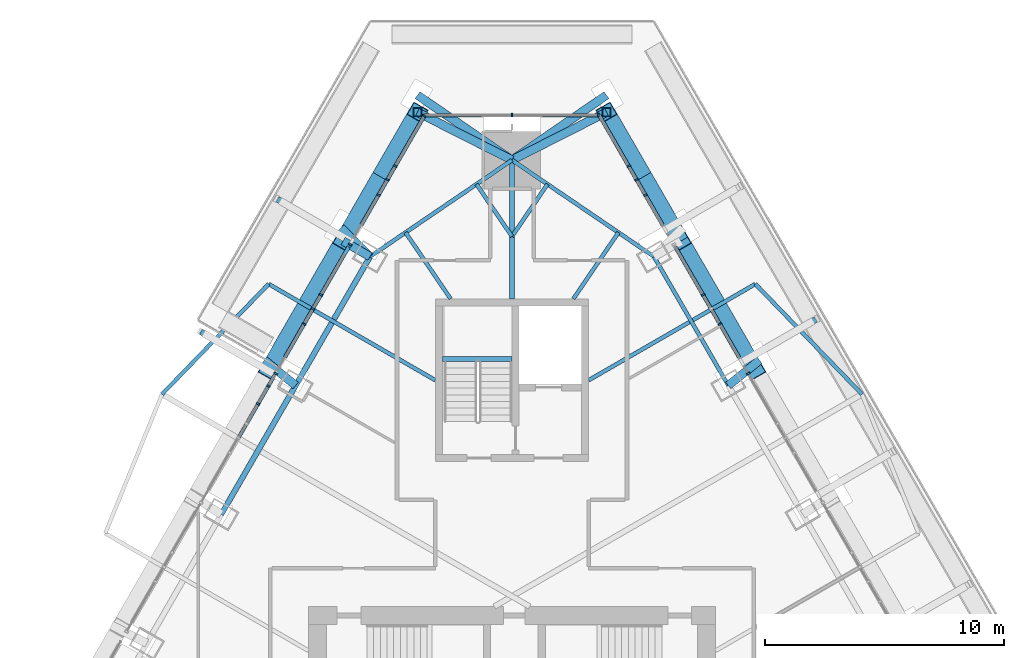
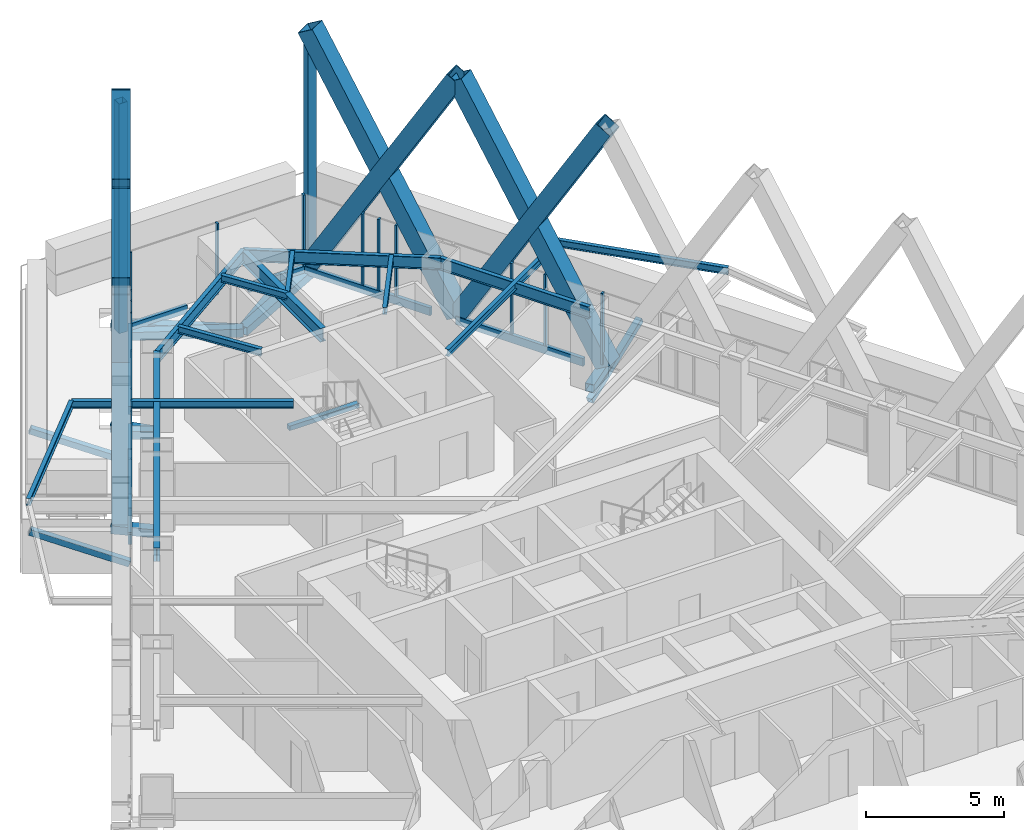
# One storey, part 7 of 23: 47 members, 14 beams, 3 elements without a shape of their own.
"""IFC4 building model written with IfcOpenShell, lengths in metres."""

import ifcopenshell
import ifcopenshell.guid

model = None  # the IFC model being written
_history = None  # IfcOwnerHistory: only IFC2X3 demands one
_inside = {}  # id of a spatial element -> (the spatial element, [elements in it])
_under = {}  # id of a project, library or spatial element -> (it, [spatial elements below it])
_declared = {}  # id of a project -> (the project, [libraries it declares])
_typed = {}  # id of a type object -> (the type object, [elements of that type])
_made_of = {}  # id of a material, layer set ... -> (it, [elements and type objects made of it])


def new_model(schema):
    """Start an empty IFC model of exactly this schema.

    Asked for "IFC4X3", IfcOpenShell would pick the latest addendum, in which some entities
    have other attributes; the version numbers below select the first issue.
    IFC2X3 requires an IfcOwnerHistory on every rooted entity: one is made here for all.
    """
    global model, _history
    if schema == "IFC4X3":
        model = ifcopenshell.file(schema_version=(4, 3, 0, 0))
    else:
        model = ifcopenshell.file(schema=schema)
    _inside.clear()
    _under.clear()
    _declared.clear()
    _typed.clear()
    _made_of.clear()
    _history = None
    if model.schema == "IFC2X3":
        org = make("IfcOrganization", Name="unknown")
        user = make(
            "IfcPersonAndOrganization",
            ThePerson=make("IfcPerson", FamilyName="unknown"),
            TheOrganization=org,
        )
        app = make(
            "IfcApplication",
            ApplicationDeveloper=org,
            Version="unknown",
            ApplicationFullName="unknown",
            ApplicationIdentifier="unknown",
        )
        _history = make(
            "IfcOwnerHistory",
            OwningUser=user,
            OwningApplication=app,
            ChangeAction="ADDED",
            CreationDate=0,
        )
    return model


def make(cls, **values):
    """One entity of the class cls with the attributes given. An attribute that is None is left unset."""
    return model.create_entity(
        cls, **{name: value for name, value in values.items() if value is not None}
    )


def rooted(cls, **values):
    """An entity with a GlobalId (a new one), such as an element, a storey or a relation."""
    return make(cls, GlobalId=ifcopenshell.guid.new(), OwnerHistory=_history, **values)


def si_unit(unit_type, name, prefix=None):
    """IfcSIUnit, for example si_unit("LENGTHUNIT", "METRE", prefix="MILLI")."""
    return make("IfcSIUnit", UnitType=unit_type, Prefix=prefix, Name=name)


def assignment(units):
    """IfcUnitAssignment: the units of a project."""
    return None if units is None else make("IfcUnitAssignment", Units=units)


def point(xyz):
    """IfcCartesianPoint."""
    return None if xyz is None else make("IfcCartesianPoint", Coordinates=xyz)


def direction(xyz):
    """IfcDirection."""
    return None if xyz is None else make("IfcDirection", DirectionRatios=xyz)


def frame(location, z_axis=None, x_axis=None):
    """IfcAxis2Placement3D, a coordinate frame: its origin and axes. An axis left out is left unset."""
    return make(
        "IfcAxis2Placement3D",
        Location=point(location),
        Axis=direction(z_axis),
        RefDirection=direction(x_axis),
    )


def frame_2d(location, x_axis=None):
    """IfcAxis2Placement2D, a coordinate frame in the plane: its origin and x axis."""
    return make(
        "IfcAxis2Placement2D", Location=point(location), RefDirection=direction(x_axis)
    )


def origin():
    """The frame at (0, 0, 0) with its axes left unset."""
    return frame((0.0, 0.0, 0.0))


def origin_2d():
    """The frame at (0, 0) in the plane with its x axis left unset."""
    return frame_2d((0.0, 0.0))


def place(relative_to, where):
    """IfcLocalPlacement: puts the frame where relative to a parent placement (None: the world)."""
    return make(
        "IfcLocalPlacement", PlacementRelTo=relative_to, RelativePlacement=where
    )


def context(
    kind, dimensions, precision=None, world=None, true_north=None, identifier=None
):
    """IfcGeometricRepresentationContext, for example the 3D "Model" context."""
    return make(
        "IfcGeometricRepresentationContext",
        ContextIdentifier=identifier,
        ContextType=kind,
        CoordinateSpaceDimension=dimensions,
        Precision=precision,
        WorldCoordinateSystem=world,
        TrueNorth=true_north,
    )


def subcontext(parent, identifier, kind, view, scale=None):
    """IfcGeometricRepresentationSubContext, for example "Body" below "Model"."""
    return make(
        "IfcGeometricRepresentationSubContext",
        ContextIdentifier=identifier,
        ContextType=kind,
        ParentContext=parent,
        TargetScale=scale,
        TargetView=view,
    )


def project(units=None, contexts=None):
    """IfcProject with its units and contexts."""
    return rooted(
        "IfcProject",
        Name="project",
        RepresentationContexts=contexts,
        UnitsInContext=assignment(units),
    )


def spatial(cls, under=None, at=None, **own):
    """A site, building, storey or space (cls), placed at a placement, below another one or the project."""
    s = rooted(cls, ObjectPlacement=at, **own)
    if under is not None:
        _under.setdefault(under.id(), (under, []))[1].append(s)
    return s


def profile(cls, at=None, kind="AREA", **sizes):
    """A parametric profile (cls). Its sizes go by their IFC names, for example OverallWidth=200.0."""
    return make(cls, ProfileType=kind, Position=at, **sizes)


def rectangle(**sizes):
    """IfcRectangleProfileDef."""
    return profile("IfcRectangleProfileDef", **sizes)


def hollow_rectangle(**sizes):
    """IfcRectangleHollowProfileDef."""
    return profile("IfcRectangleHollowProfileDef", **sizes)


def i_section(**sizes):
    """IfcIShapeProfileDef."""
    return profile("IfcIShapeProfileDef", **sizes)


def extrude(swept, where, along, depth):
    """IfcExtrudedAreaSolid: the profile swept, set in the frame where, extruded along a direction by depth."""
    return make(
        "IfcExtrudedAreaSolid",
        SweptArea=swept,
        Position=where,
        ExtrudedDirection=direction(along),
        Depth=depth,
    )


def shape(context_of_items, identifier, shape_type, items):
    """IfcShapeRepresentation: the items that make up one representation, for example the "Body"."""
    return make(
        "IfcShapeRepresentation",
        ContextOfItems=context_of_items,
        RepresentationIdentifier=identifier,
        RepresentationType=shape_type,
        Items=items,
    )


def material(Name=None, Category=None):
    """IfcMaterial."""
    return make("IfcMaterial", Name=Name, Category=Category)


def layer(
    of_material, thickness, ventilated=None, Name=None, Category=None, Priority=None
):
    """IfcMaterialLayer: one layer of a wall or slab, of a material (None: an air gap)."""
    return make(
        "IfcMaterialLayer",
        Material=of_material,
        LayerThickness=thickness,
        IsVentilated=ventilated,
        Name=Name,
        Category=Category,
        Priority=Priority,
    )


def layer_set(layers, Name=None):
    """IfcMaterialLayerSet."""
    return make("IfcMaterialLayerSet", MaterialLayers=layers, LayerSetName=Name)


def material_profile(
    of_material, cross_section, Name=None, Category=None, Priority=None
):
    """IfcMaterialProfile: a cross section and its material."""
    return make(
        "IfcMaterialProfile",
        Name=Name,
        Material=of_material,
        Profile=cross_section,
        Priority=Priority,
        Category=Category,
    )


def profile_set(profiles, Name=None, composite=None):
    """IfcMaterialProfileSet."""
    return make(
        "IfcMaterialProfileSet",
        Name=Name,
        MaterialProfiles=profiles,
        CompositeProfile=composite,
    )


def made_of(thing, what):
    """Note that an element or type object is made of a material, layer set ...; save() writes the relation."""
    if what is not None:
        _made_of.setdefault(what.id(), (what, []))[1].append(thing)
    return thing


def type_object(cls, material=None, **own):
    """A type object (cls), such as IfcWallType, which elements share."""
    return made_of(rooted(cls, **own), material)


def element(
    cls,
    number,
    at=None,
    inside=None,
    cuts=None,
    type_object=None,
    material=None,
    context=None,
    identifier="Body",
    shape_type=None,
    held_by="IfcProductDefinitionShape",
    body=None,
    shapes=None,
    **own,
):
    """One element of the class cls, such as IfcWall. Its Tag is "e" and its number.

    at: its placement. inside: the storey or other place that contains it. cuts: it is an
    opening in that element (IfcRelVoidsElement). A single representation is given by context,
    identifier, shape_type and body (its items); several are given by shapes. held_by: the class
    of the entity that holds the representations. save() writes the other relations.
    """
    e = rooted(cls, Tag="e%d" % number, ObjectPlacement=at, **own)
    if body is not None:
        shapes = [shape(context, identifier, shape_type, body)]
    if shapes is not None:
        e.Representation = make(held_by, Representations=shapes)
    if inside is not None:
        _inside.setdefault(inside.id(), (inside, []))[1].append(e)
    if cuts is not None:
        rooted(
            "IfcRelVoidsElement", RelatingBuildingElement=cuts, RelatedOpeningElement=e
        )
    if type_object is not None:
        _typed.setdefault(type_object.id(), (type_object, []))[1].append(e)
    return made_of(e, material)


def aggregate(whole, parts):
    """IfcRelAggregates: a whole, such as a stair, and the parts it consists of."""
    return rooted("IfcRelAggregates", RelatingObject=whole, RelatedObjects=parts)


def save(model, path):
    """Write the relations noted so far, then the file.

    IfcRelAggregates (storeys below a building ...), IfcRelContainedInSpatialStructure (elements
    in a storey), IfcRelDefinesByType, IfcRelAssociatesMaterial and IfcRelDeclares: one each for
    every whole, place, type object, material and project.
    """
    for whole, parts in _under.values():
        aggregate(whole, parts)
    for where, things in _inside.values():
        rooted(
            "IfcRelContainedInSpatialStructure",
            RelatedElements=things,
            RelatingStructure=where,
        )
    for kind, things in _typed.values():
        rooted("IfcRelDefinesByType", RelatedObjects=things, RelatingType=kind)
    for what, things in _made_of.values():
        rooted("IfcRelAssociatesMaterial", RelatedObjects=things, RelatingMaterial=what)
    for by, libraries in _declared.values():
        rooted("IfcRelDeclares", RelatingContext=by, RelatedDefinitions=libraries)
    model.write(path)


model = new_model("IFC4")

# Units and contexts
model_context = context("Model", 3, precision=1e-05, world=origin(), true_north=direction((0.0, 1.0)))
body_context = subcontext(model_context, "Body", "Model", "MODEL_VIEW")
ifc_project = project(units=[si_unit("LENGTHUNIT", "METRE"), si_unit("AREAUNIT", "SQUARE_METRE"), si_unit("VOLUMEUNIT", "CUBIC_METRE"), si_unit("PLANEANGLEUNIT", "RADIAN"), si_unit("MASSUNIT", "GRAM", prefix="KILO")], contexts=[model_context])

# Site, building, storey
site_placement = place(None, origin())
site = spatial("IfcSite", under=ifc_project, at=site_placement, CompositionType="ELEMENT")
building_placement = place(site_placement, origin())
building = spatial("IfcBuilding", under=site, at=building_placement, Name="Firuza Gate Tower and Library", CompositionType="ELEMENT")
storey_placement = place(building_placement, frame((0.0, 0.0, 291.60009765625)))
storey = spatial("IfcBuildingStorey", under=building, at=storey_placement, Name="L70", CompositionType="ELEMENT", Elevation=291.60009765625)

# Members
ifc_material_1 = material(Name="Steel S355", Category="steel")
ifc_material_profile_1 = material_profile(ifc_material_1, hollow_rectangle(XDim=0.699951171875, YDim=0.699951171875, WallThickness=0.030029296875, at=origin_2d()))
ifc_profile_set_1 = profile_set([ifc_material_profile_1], Name="Steel S355")
member_type_1 = type_object("IfcMemberType", Name="BU700x700x30 Lattice brace", PredefinedType="BRACE", material=ifc_profile_set_1)
for number, where, z_axis, x_axis, name in (
    (1, (85.15966796875, 91.62744140625, 0.0), (-0.254631455847, 0.441047694957, 0.860604294938), (-0.866031822762, -0.49998888184, 0.0), "Lattice brace E 18.6R"),
    (2, (82.052978515625, 97.008544921875, 0.0), (0.254631455847, -0.441047694957, 0.860604294938), (0.866031822762, 0.49998888184, 0.0), "Lattice brace E 18.6L"),
    (3, (82.052978515625, 97.008544921875, 0.0), (-0.254633703079, 0.441031576884, 0.860611890138), (-0.866021999733, -0.500005895944, 0.0), "Lattice brace E 18.7R"),
    (4, (78.9462890625, 102.389404296875, 0.0), (0.254633703079, -0.441031576884, 0.860611890138), (0.866021999733, 0.500005895944, 0.0), "Lattice brace E 18.7L"),
    (5, (71.0537109375, 102.389404296875, 0.0), (-0.254633703079, -0.441031576884, 0.860611890138), (0.866021999733, -0.500005895944, 0.0), "Lattice brace W 18.1R"),
    (6, (67.947021484375, 97.008544921875, 0.0), (0.254633703079, 0.441031576884, 0.860611890138), (-0.866021999733, 0.500005895944, 0.0), "Lattice brace W 18.1L"),
    (7, (67.947021484375, 97.008544921875, 0.0), (-0.254631455847, -0.441047694957, 0.860604294938), (0.866031822762, -0.49998888184, 0.0), "Lattice brace W 18.2R"),
    (8, (64.84033203125, 91.62744140625, 0.0), (0.254631455847, 0.441047694957, 0.860604294938), (-0.866031822762, 0.49998888184, 0.0), "Lattice brace W 18.2L"),
):
    element("IfcMember", number, at=place(storey_placement, frame(where, z_axis=z_axis, x_axis=x_axis)), inside=storey, type_object=member_type_1, Name=name, PredefinedType="BRACE", context=body_context, shape_type="SweptSolid", body=[
        extrude(hollow_rectangle(XDim=0.699951171875, YDim=0.699951171875, WallThickness=0.030029296875, at=origin_2d()), origin(), (0.0, 0.0, 1.0), 12.20068359375),
    ])

# Curtain wall, members
ifc_material_2 = material(Name="Aluminium 6063-T6", Category="aluminium")
ifc_layer_1 = layer(ifc_material_2, 0.14990234375)
ifc_layer_set_1 = layer_set([ifc_layer_1], Name="Unitised curtain wall, residences")
curtain_wall_type_1 = type_object("IfcCurtainWallType", Name="Unitised curtain wall, residences", PredefinedType="NOTDEFINED", material=ifc_layer_set_1)
placement = place(storey_placement, origin())
curtain_wall_1 = element("IfcCurtainWall", 9, at=placement, inside=storey, type_object=curtain_wall_type_1, Name="CW3 L70 E face", PredefinedType="NOTDEFINED")
ifc_material_3 = material(Name="Aluminium 6063-T6", Category="aluminium")
ifc_material_profile_2 = material_profile(ifc_material_3, rectangle(XDim=0.14990234375, YDim=0.080078125, at=origin_2d()))
ifc_profile_set_2 = profile_set([ifc_material_profile_2], Name="Aluminium 6063-T6")
member_type_2 = type_object("IfcMemberType", Name="Curtain wall mullion 80x150", PredefinedType="MULLION", material=ifc_profile_set_2)
member_1_placement = place(storey_placement, frame((84.868896484375, 91.481201171875, 0.14990234375), z_axis=(0.0, 0.0, 1.0), x_axis=(-0.866025403784, -0.5, 0.0)))
member_1 = element("IfcMember", 10, at=member_1_placement, type_object=member_type_2, Name="Mullion", PredefinedType="MULLION", context=body_context, shape_type="SweptSolid", body=[
    extrude(rectangle(XDim=0.14990234375, YDim=0.080078125, at=origin_2d()), origin(), (0.0, 0.0, 1.0), 3.14990234375),
])
member_2_placement = place(storey_placement, frame((80.19970703125, 99.568603515625, 0.14990234375), z_axis=(0.0, 0.0, 1.0), x_axis=(-0.866025403784, -0.5, 0.0)))
member_2 = element("IfcMember", 11, at=member_2_placement, type_object=member_type_2, Name="Mullion", PredefinedType="MULLION", context=body_context, shape_type="SweptSolid", body=[
    extrude(rectangle(XDim=0.14990234375, YDim=0.080078125, at=origin_2d()), origin(), (0.0, 0.0, 1.0), 3.14990234375),
])
member_3_placement = place(storey_placement, frame((83.676025390625, 93.54736328125, 0.14990234375), z_axis=(0.0, 0.0, 1.0), x_axis=(-0.866025403784, -0.5, 0.0)))
member_3 = element("IfcMember", 12, at=member_3_placement, type_object=member_type_2, Name="Mullion", PredefinedType="MULLION", context=body_context, shape_type="SweptSolid", body=[
    extrude(rectangle(XDim=0.14990234375, YDim=0.080078125, at=origin_2d()), origin(), (0.0, 0.0, 1.0), 3.14990234375),
])
member_4_placement = place(storey_placement, frame((82.973876953125, 94.763671875, 0.14990234375), z_axis=(0.0, 0.0, 1.0), x_axis=(-0.866025403784, -0.5, 0.0)))
member_4 = element("IfcMember", 13, at=member_4_placement, type_object=member_type_2, Name="Mullion", PredefinedType="MULLION", context=body_context, shape_type="SweptSolid", body=[
    extrude(rectangle(XDim=0.14990234375, YDim=0.080078125, at=origin_2d()), origin(), (0.0, 0.0, 1.0), 3.14990234375),
])
member_5_placement = place(storey_placement, frame((80.5693359375, 98.92822265625, 0.14990234375), z_axis=(0.0, 0.0, 1.0), x_axis=(-0.866025403784, -0.5, 0.0)))
member_5 = element("IfcMember", 14, at=member_5_placement, type_object=member_type_2, Name="Mullion", PredefinedType="MULLION", context=body_context, shape_type="SweptSolid", body=[
    extrude(rectangle(XDim=0.14990234375, YDim=0.080078125, at=origin_2d()), origin(), (0.0, 0.0, 1.0), 3.14990234375),
])
member_6_placement = place(storey_placement, frame((79.8671875, 100.14453125, 0.14990234375), z_axis=(0.0, 0.0, 1.0), x_axis=(-0.866025403784, -0.5, 0.0)))
member_6 = element("IfcMember", 15, at=member_6_placement, type_object=member_type_2, Name="Mullion", PredefinedType="MULLION", context=body_context, shape_type="SweptSolid", body=[
    extrude(rectangle(XDim=0.14990234375, YDim=0.080078125, at=origin_2d()), origin(), (0.0, 0.0, 1.0), 3.14990234375),
])

ifc_material_4 = material(Name="Aluminium 6063-T6", Category="aluminium")
ifc_layer_2 = layer(ifc_material_4, 0.14990234375)
ifc_layer_set_2 = layer_set([ifc_layer_2], Name="Corner curtain wall, chamfers")
curtain_wall_type_2 = type_object("IfcCurtainWallType", Name="Corner curtain wall, chamfers", PredefinedType="NOTDEFINED", material=ifc_layer_set_2)
curtain_wall_2 = element("IfcCurtainWall", 16, at=placement, inside=storey, type_object=curtain_wall_type_2, Name="CW4 L70 N corner", PredefinedType="NOTDEFINED")
member_7_placement = place(storey_placement, frame((78.603271484375, 102.264404296875, 0.14990234375), z_axis=(0.0, 0.0, 1.0), x_axis=(0.0, -1.0, 0.0)))
member_7 = element("IfcMember", 17, at=member_7_placement, type_object=member_type_2, Name="Mullion", PredefinedType="MULLION", context=body_context, shape_type="SweptSolid", body=[
    extrude(rectangle(XDim=0.14990234375, YDim=0.080078125, at=origin_2d()), origin(), (0.0, 0.0, 1.0), 3.14990234375),
])
member_8_placement = place(storey_placement, frame((75.0, 102.264404296875, 0.14990234375), z_axis=(0.0, 0.0, 1.0), x_axis=(0.0, -1.0, 0.0)))
member_8 = element("IfcMember", 18, at=member_8_placement, type_object=member_type_2, Name="Mullion", PredefinedType="MULLION", context=body_context, shape_type="SweptSolid", body=[
    extrude(rectangle(XDim=0.14990234375, YDim=0.080078125, at=origin_2d()), origin(), (0.0, 0.0, 1.0), 3.14990234375),
])

curtain_wall_3 = element("IfcCurtainWall", 19, at=placement, inside=storey, type_object=curtain_wall_type_1, Name="CW3 L70 W face", PredefinedType="NOTDEFINED")
member_9_placement = place(storey_placement, frame((71.336669921875, 102.229736328125, 0.14990234375), z_axis=(0.0, 0.0, 1.0), x_axis=(0.866025403784, -0.5, 0.0)))
member_9 = element("IfcMember", 20, at=member_9_placement, type_object=member_type_2, Name="Mullion", PredefinedType="MULLION", context=body_context, shape_type="SweptSolid", body=[
    extrude(rectangle(XDim=0.14990234375, YDim=0.080078125, at=origin_2d()), origin(), (0.0, 0.0, 1.0), 3.14990234375),
])
member_10_placement = place(storey_placement, frame((69.80029296875, 99.568603515625, 0.14990234375), z_axis=(0.0, 0.0, 1.0), x_axis=(0.866025403784, -0.5, 0.0)))
member_10 = element("IfcMember", 21, at=member_10_placement, type_object=member_type_2, Name="Mullion", PredefinedType="MULLION", context=body_context, shape_type="SweptSolid", body=[
    extrude(rectangle(XDim=0.14990234375, YDim=0.080078125, at=origin_2d()), origin(), (0.0, 0.0, 1.0), 3.14990234375),
])
member_11_placement = place(storey_placement, frame((68.243896484375, 96.872802734375, 0.14990234375), z_axis=(0.0, 0.0, 1.0), x_axis=(0.866025403784, -0.5, 0.0)))
member_11 = element("IfcMember", 22, at=member_11_placement, type_object=member_type_2, Name="Mullion", PredefinedType="MULLION", context=body_context, shape_type="SweptSolid", body=[
    extrude(rectangle(XDim=0.14990234375, YDim=0.080078125, at=origin_2d()), origin(), (0.0, 0.0, 1.0), 3.14990234375),
])
member_12_placement = place(storey_placement, frame((66.6875, 94.177001953125, 0.14990234375), z_axis=(0.0, 0.0, 1.0), x_axis=(0.866025403784, -0.5, 0.0)))
member_12 = element("IfcMember", 23, at=member_12_placement, type_object=member_type_2, Name="Mullion", PredefinedType="MULLION", context=body_context, shape_type="SweptSolid", body=[
    extrude(rectangle(XDim=0.14990234375, YDim=0.080078125, at=origin_2d()), origin(), (0.0, 0.0, 1.0), 3.14990234375),
])
member_13_placement = place(storey_placement, frame((65.131103515625, 91.481201171875, 0.14990234375), z_axis=(0.0, 0.0, 1.0), x_axis=(0.866025403784, -0.5, 0.0)))
member_13 = element("IfcMember", 24, at=member_13_placement, type_object=member_type_2, Name="Mullion", PredefinedType="MULLION", context=body_context, shape_type="SweptSolid", body=[
    extrude(rectangle(XDim=0.14990234375, YDim=0.080078125, at=origin_2d()), origin(), (0.0, 0.0, 1.0), 3.14990234375),
])
member_14_placement = place(storey_placement, frame((70.1328125, 100.14453125, 0.14990234375), z_axis=(0.0, 0.0, 1.0), x_axis=(0.866025403784, -0.5, 0.0)))
member_14 = element("IfcMember", 25, at=member_14_placement, type_object=member_type_2, Name="Mullion", PredefinedType="MULLION", context=body_context, shape_type="SweptSolid", body=[
    extrude(rectangle(XDim=0.14990234375, YDim=0.080078125, at=origin_2d()), origin(), (0.0, 0.0, 1.0), 3.14990234375),
])
member_15_placement = place(storey_placement, frame((69.4306640625, 98.92822265625, 0.14990234375), z_axis=(0.0, 0.0, 1.0), x_axis=(0.866025403784, -0.5, 0.0)))
member_15 = element("IfcMember", 26, at=member_15_placement, type_object=member_type_2, Name="Mullion", PredefinedType="MULLION", context=body_context, shape_type="SweptSolid", body=[
    extrude(rectangle(XDim=0.14990234375, YDim=0.080078125, at=origin_2d()), origin(), (0.0, 0.0, 1.0), 3.14990234375),
])
member_16_placement = place(storey_placement, frame((67.026123046875, 94.763671875, 0.14990234375), z_axis=(0.0, 0.0, 1.0), x_axis=(0.866025403784, -0.5, 0.0)))
member_16 = element("IfcMember", 27, at=member_16_placement, type_object=member_type_2, Name="Mullion", PredefinedType="MULLION", context=body_context, shape_type="SweptSolid", body=[
    extrude(rectangle(XDim=0.14990234375, YDim=0.080078125, at=origin_2d()), origin(), (0.0, 0.0, 1.0), 3.14990234375),
])
member_17_placement = place(storey_placement, frame((66.323974609375, 93.54736328125, 0.14990234375), z_axis=(0.0, 0.0, 1.0), x_axis=(0.866025403784, -0.5, 0.0)))
member_17 = element("IfcMember", 28, at=member_17_placement, type_object=member_type_2, Name="Mullion", PredefinedType="MULLION", context=body_context, shape_type="SweptSolid", body=[
    extrude(rectangle(XDim=0.14990234375, YDim=0.080078125, at=origin_2d()), origin(), (0.0, 0.0, 1.0), 3.14990234375),
])
member_18_placement = place(storey_placement, frame((64.397216796875, 90.21044921875, 0.14990234375), z_axis=(0.0, 0.0, 1.0), x_axis=(0.866025403784, -0.5, 0.0)))
member_18 = element("IfcMember", 29, at=member_18_placement, type_object=member_type_2, Name="Mullion", PredefinedType="MULLION", context=body_context, shape_type="SweptSolid", body=[
    extrude(rectangle(XDim=0.14990234375, YDim=0.080078125, at=origin_2d()), origin(), (0.0, 0.0, 1.0), 1.534912109375),
])
member_19_placement = place(storey_placement, frame((64.825439453125, 90.95166015625, 1.764892578125), z_axis=(0.0, 0.0, 1.0), x_axis=(0.866025403784, -0.5, 0.0)))
member_19 = element("IfcMember", 30, at=member_19_placement, type_object=member_type_2, Name="Mullion", PredefinedType="MULLION", context=body_context, shape_type="SweptSolid", body=[
    extrude(rectangle(XDim=0.14990234375, YDim=0.080078125, at=origin_2d()), origin(), (0.0, 0.0, 1.0), 1.534912109375),
])

# Member
ifc_material_5 = material(Name="Aluminium 6063-T6", Category="aluminium")
ifc_material_profile_3 = material_profile(ifc_material_5, rectangle(XDim=0.14990234375, YDim=0.35009765625, at=origin_2d()))
ifc_profile_set_3 = profile_set([ifc_material_profile_3], Name="Aluminium 6063-T6")
member_type_3 = type_object("IfcMemberType", Name="Curtain wall transom 350x150", PredefinedType="USERDEFINED", material=ifc_profile_set_3)
member_20_placement = place(storey_placement, frame((84.482421875, 92.150634765625, -0.025146484375), z_axis=(-0.499978655776, 0.866037726527, 0.0), x_axis=(-0.866037726527, -0.499978655776, 0.0)))
member_20 = element("IfcMember", 31, at=member_20_placement, type_object=member_type_3, Name="Transom", ObjectType="TRANSOM", PredefinedType="USERDEFINED", context=body_context, shape_type="SweptSolid", body=[
    extrude(rectangle(XDim=0.14990234375, YDim=0.35009765625, at=origin_2d()), origin(), (0.0, 0.0, 1.0), 5.334228515625),
])

member_21_placement = place(storey_placement, frame((81.287841796875, 97.683837890625, -0.025146484375), z_axis=(-0.499991492324, 0.866030315638, 0.0), x_axis=(-0.866030315638, -0.499991492324, 0.0)))
member_21 = element("IfcMember", 32, at=member_21_placement, type_object=member_type_3, Name="Transom", ObjectType="TRANSOM", PredefinedType="USERDEFINED", context=body_context, shape_type="SweptSolid", body=[
    extrude(rectangle(XDim=0.14990234375, YDim=0.35009765625, at=origin_2d()), origin(), (0.0, 0.0, 1.0), 5.2890625),
])

aggregate(curtain_wall_1, [member_1, member_2, member_20, member_21, member_3, member_4, member_5, member_6])

member_22_placement = place(storey_placement, frame((78.643310546875, 102.264404296875, -0.025146484375), z_axis=(-1.0, 0.0, 0.0), x_axis=(0.0, -1.0, 0.0)))
member_22 = element("IfcMember", 33, at=member_22_placement, type_object=member_type_3, Name="Transom", ObjectType="TRANSOM", PredefinedType="USERDEFINED", context=body_context, shape_type="SweptSolid", body=[
    extrude(rectangle(XDim=0.14990234375, YDim=0.35009765625, at=origin_2d()), origin(), (0.0, 0.0, 1.0), 2.36328125),
])

member_23_placement = place(storey_placement, frame((73.719970703125, 102.264404296875, -0.025146484375), z_axis=(-1.0, 0.0, 0.0), x_axis=(0.0, -1.0, 0.0)))
member_23 = element("IfcMember", 34, at=member_23_placement, type_object=member_type_3, Name="Transom", ObjectType="TRANSOM", PredefinedType="USERDEFINED", context=body_context, shape_type="SweptSolid", body=[
    extrude(rectangle(XDim=0.14990234375, YDim=0.35009765625, at=origin_2d()), origin(), (0.0, 0.0, 1.0), 2.36328125),
])

aggregate(curtain_wall_2, [member_7, member_8, member_22, member_23])

member_24_placement = place(storey_placement, frame((71.356689453125, 102.264404296875, -0.025146484375), z_axis=(-0.499991492324, -0.866030315638, 0.0), x_axis=(0.866030315638, -0.499991492324, 0.0)))
member_24 = element("IfcMember", 35, at=member_24_placement, type_object=member_type_3, Name="Transom", ObjectType="TRANSOM", PredefinedType="USERDEFINED", context=body_context, shape_type="SweptSolid", body=[
    extrude(rectangle(XDim=0.14990234375, YDim=0.35009765625, at=origin_2d()), origin(), (0.0, 0.0, 1.0), 5.2890625),
])

member_25_placement = place(storey_placement, frame((68.1845703125, 96.770263671875, -0.025146484375), z_axis=(-0.499978655776, -0.866037726527, 0.0), x_axis=(0.866037726527, -0.499978655776, 0.0)))
member_25 = element("IfcMember", 36, at=member_25_placement, type_object=member_type_3, Name="Transom", ObjectType="TRANSOM", PredefinedType="USERDEFINED", context=body_context, shape_type="SweptSolid", body=[
    extrude(rectangle(XDim=0.14990234375, YDim=0.35009765625, at=origin_2d()), origin(), (0.0, 0.0, 1.0), 5.334228515625),
])

ifc_material_6 = material(Name="Aluminium 6063-T6", Category="aluminium")
ifc_material_profile_4 = material_profile(ifc_material_6, rectangle(XDim=0.14990234375, YDim=0.080078125, at=origin_2d()))
ifc_profile_set_4 = profile_set([ifc_material_profile_4], Name="Aluminium 6063-T6")
member_type_4 = type_object("IfcMemberType", Name="Curtain wall transom 80x150", PredefinedType="USERDEFINED", material=ifc_profile_set_4)
member_26_placement = place(storey_placement, frame((65.111083984375, 91.446533203125, 1.724853515625), z_axis=(-0.500017413604, -0.866015349802, 0.0), x_axis=(0.866015349802, -0.500017413604, 0.0)))
member_26 = element("IfcMember", 37, at=member_26_placement, type_object=member_type_4, Name="Transom", ObjectType="TRANSOM", PredefinedType="USERDEFINED", context=body_context, shape_type="SweptSolid", body=[
    extrude(rectangle(XDim=0.14990234375, YDim=0.080078125, at=origin_2d()), origin(), (0.0, 0.0, 1.0), 3.033203125),
])

aggregate(curtain_wall_3, [member_9, member_10, member_11, member_12, member_13, member_24, member_25, member_14, member_15, member_16, member_17, member_18, member_19, member_26])

# Members
ifc_material_7 = material(Name="Steel S355", Category="steel")
ifc_material_profile_5 = material_profile(ifc_material_7, hollow_rectangle(XDim=0.25390625, YDim=0.25390625, WallThickness=0.01171875, at=origin_2d()))
ifc_profile_set_5 = profile_set([ifc_material_profile_5], Name="Steel S355")
member_type_5 = type_object("IfcMemberType", Name="HSS254x254x13 Tray strut", PredefinedType="BRACE", material=ifc_profile_set_5)
member_27_placement = place(storey_placement, frame((84.60986328125, 91.961181640625, -1.670166015625), z_axis=(0.807122458648, 0.466007352202, 0.362478253747), x_axis=(-0.500012057535, 0.866018442252, 0.0)))
element("IfcMember", 38, at=member_27_placement, inside=storey, type_object=member_type_5, Name="Tray strut L70 col:L69:E5", PredefinedType="BRACE", context=body_context, shape_type="SweptSolid", body=[
    extrude(hollow_rectangle(XDim=0.25390625, YDim=0.25390625, WallThickness=0.01171875, at=origin_2d()), origin(), (0.0, 0.0, 1.0), 3.86279296875),
])
member_28_placement = place(storey_placement, frame((68.284912109375, 96.97509765625, -1.670166015625), z_axis=(-0.807146230908, 0.465957871124, 0.362488929856), x_axis=(-0.499961193289, -0.866047807691, 0.0)))
element("IfcMember", 39, at=member_28_placement, inside=storey, type_object=member_type_5, Name="Tray strut L70 col:L69:W1", PredefinedType="BRACE", context=body_context, shape_type="SweptSolid", body=[
    extrude(hollow_rectangle(XDim=0.25390625, YDim=0.25390625, WallThickness=0.01171875, at=origin_2d()), origin(), (0.0, 0.0, 1.0), 3.862548828125),
])
member_29_placement = place(storey_placement, frame((65.090087890625, 91.441650390625, -1.670166015625), z_axis=(-0.807122458648, 0.466007352202, 0.362478253747), x_axis=(-0.500012057535, -0.866018442252, 0.0)))
element("IfcMember", 40, at=member_29_placement, inside=storey, type_object=member_type_5, Name="Tray strut L70 col:L69:W2", PredefinedType="BRACE", context=body_context, shape_type="SweptSolid", body=[
    extrude(hollow_rectangle(XDim=0.25390625, YDim=0.25390625, WallThickness=0.01171875, at=origin_2d()), origin(), (0.0, 0.0, 1.0), 3.86279296875),
])
ifc_material_8 = material(Name="Steel S355", Category="steel")
ifc_material_profile_6 = material_profile(ifc_material_8, hollow_rectangle(XDim=0.355712890625, YDim=0.355712890625, WallThickness=0.014892578125, at=origin_2d()))
ifc_profile_set_6 = profile_set([ifc_material_profile_6], Name="Steel S355")
member_type_6 = type_object("IfcMemberType", Name="HSS356x356x16 Lattice corner stile", PredefinedType="BRACE", material=ifc_profile_set_6)
for number, where, z_axis, x_axis, name in (
    (41, (78.9462890625, 102.389404296875, -0.14013671875), (0.0, 0.0, 1.0), (1.0, 0.0, 0.0), "Lattice corner stile E 18.B"),
    (42, (71.0537109375, 102.389404296875, -0.14013671875), (0.0, 0.0, 1.0), (1.0, 0.0, 0.0), "Lattice corner stile W 18.A"),
):
    element("IfcMember", number, at=place(storey_placement, frame(where, z_axis=z_axis, x_axis=x_axis)), inside=storey, type_object=member_type_6, Name=name, PredefinedType="BRACE", context=body_context, shape_type="SweptSolid", body=[
        extrude(hollow_rectangle(XDim=0.355712890625, YDim=0.355712890625, WallThickness=0.014892578125, at=origin_2d()), origin(), (0.0, 0.0, 1.0), 10.14013671875),
    ])
ifc_material_9 = material(Name="Steel S355", Category="steel")
ifc_material_profile_7 = material_profile(ifc_material_9, hollow_rectangle(XDim=0.355712890625, YDim=0.355712890625, WallThickness=0.014892578125, at=origin_2d()))
ifc_profile_set_7 = profile_set([ifc_material_profile_7], Name="Steel S355")
member_type_7 = type_object("IfcMemberType", Name="HSS356x356x16 Lattice node tie", PredefinedType="BRACE", material=ifc_profile_set_7)
member_30_placement = place(storey_placement, frame((75.0, 100.389404296875, -0.320068359375), z_axis=(0.824226369594, 0.566260445084, 0.0), x_axis=(-0.566260445084, 0.824226369594, 0.0)))
element("IfcMember", 43, at=member_30_placement, inside=storey, type_object=member_type_7, Name="Lattice node tie E L70 463", PredefinedType="BRACE", context=body_context, shape_type="SweptSolid", body=[
    extrude(hollow_rectangle(XDim=0.355712890625, YDim=0.355712890625, WallThickness=0.014892578125, at=origin_2d()), origin(), (0.0, 0.0, 1.0), 4.787841796875),
])
member_31_placement = place(storey_placement, frame((75.0, 100.389404296875, -0.320068359375), z_axis=(0.891985934506, 0.452063151168, 0.0), x_axis=(-0.452063151168, 0.891985934506, 0.0)))
element("IfcMember", 44, at=member_31_placement, inside=storey, type_object=member_type_7, Name="Lattice node tie E L70 464", PredefinedType="BRACE", context=body_context, shape_type="SweptSolid", body=[
    extrude(hollow_rectangle(XDim=0.355712890625, YDim=0.355712890625, WallThickness=0.014892578125, at=origin_2d()), origin(), (0.0, 0.0, 1.0), 4.424072265625),
])
for number, where, z_axis, x_axis, name in (
    (45, (84.033935546875, 90.9775390625, -0.320068359375), (0.776488041561, 0.630131987216, 0.0), (-0.630131987216, 0.776488041561, 0.0), "Lattice node tie E L70 467"),
    (46, (65.966064453125, 90.9775390625, -0.320068359375), (-0.776488041561, 0.630131987216, 0.0), (-0.630131987216, -0.776488041561, 0.0), "Lattice node tie W L70 494"),
):
    element("IfcMember", number, at=place(storey_placement, frame(where, z_axis=z_axis, x_axis=x_axis)), inside=storey, type_object=member_type_7, Name=name, PredefinedType="BRACE", context=body_context, shape_type="SweptSolid", body=[
        extrude(hollow_rectangle(XDim=0.355712890625, YDim=0.355712890625, WallThickness=0.014892578125, at=origin_2d()), origin(), (0.0, 0.0, 1.0), 1.676513671875),
    ])
member_32_placement = place(storey_placement, frame((69.07275390625, 96.3583984375, -0.320068359375), z_axis=(-0.708530386236, 0.705680304232, 0.0), x_axis=(-0.705680304232, -0.708530386236, 0.0)))
element("IfcMember", 47, at=member_32_placement, inside=storey, type_object=member_type_7, Name="Lattice node tie W L70 495", PredefinedType="BRACE", context=body_context, shape_type="SweptSolid", body=[
    extrude(hollow_rectangle(XDim=0.355712890625, YDim=0.355712890625, WallThickness=0.014892578125, at=origin_2d()), origin(), (0.0, 0.0, 1.0), 1.713134765625),
])
member_33_placement = place(storey_placement, frame((69.07275390625, 96.3583984375, -0.320068359375), z_axis=(-0.86595725628, 0.500118016368, 0.0), x_axis=(-0.500118016368, -0.86595725628, 0.0)))
element("IfcMember", 48, at=member_33_placement, inside=storey, type_object=member_type_7, Name="Lattice node tie W L70 496", PredefinedType="BRACE", context=body_context, shape_type="SweptSolid", body=[
    extrude(hollow_rectangle(XDim=0.355712890625, YDim=0.355712890625, WallThickness=0.014892578125, at=origin_2d()), origin(), (0.0, 0.0, 1.0), 1.300048828125),
])
member_34_placement = place(storey_placement, frame((75.0, 100.389404296875, -0.320068359375), z_axis=(-0.824226369594, 0.566260445084, 0.0), x_axis=(-0.566260445084, -0.824226369594, 0.0)))
element("IfcMember", 49, at=member_34_placement, inside=storey, type_object=member_type_7, Name="Lattice node tie W L70 497", PredefinedType="BRACE", context=body_context, shape_type="SweptSolid", body=[
    extrude(hollow_rectangle(XDim=0.355712890625, YDim=0.355712890625, WallThickness=0.014892578125, at=origin_2d()), origin(), (0.0, 0.0, 1.0), 4.787841796875),
])
member_35_placement = place(storey_placement, frame((75.0, 100.389404296875, -0.320068359375), z_axis=(-0.891985934506, 0.452063151168, 0.0), x_axis=(-0.452063151168, -0.891985934506, 0.0)))
element("IfcMember", 50, at=member_35_placement, inside=storey, type_object=member_type_7, Name="Lattice node tie W L70 498", PredefinedType="BRACE", context=body_context, shape_type="SweptSolid", body=[
    extrude(hollow_rectangle(XDim=0.355712890625, YDim=0.355712890625, WallThickness=0.014892578125, at=origin_2d()), origin(), (0.0, 0.0, 1.0), 4.424072265625),
])

# Beams
ifc_material_10 = material(Name="Concrete C35/45", Category="concrete")
ifc_material_profile_8 = material_profile(ifc_material_10, rectangle(XDim=0.199951171875, YDim=0.199951171875, at=origin_2d()))
ifc_profile_set_8 = profile_set([ifc_material_profile_8], Name="Concrete C35/45")
beam_type_1 = type_object("IfcBeamType", Name="Stair landing bearer 200x200", PredefinedType="BEAM", material=ifc_profile_set_8)
beam_1_placement = place(storey_placement, frame((75.0, 92.090087890625, 1.449951171875), z_axis=(-1.0, 0.0, 0.0), x_axis=(0.0, -1.0, 0.0)))
element("IfcBeam", 51, at=beam_1_placement, inside=storey, type_object=beam_type_1, Name="Landing bearer L70 stair 3", PredefinedType="BEAM", context=body_context, shape_type="SweptSolid", body=[
    extrude(rectangle(XDim=0.199951171875, YDim=0.199951171875, at=origin_2d()), origin(), (0.0, 0.0, 1.0), 2.89990234375),
])
ifc_material_11 = material(Name="Steel S355", Category="steel")
ifc_material_profile_9 = material_profile(ifc_material_11, i_section(OverallWidth=0.1650390625, OverallDepth=0.31005859375, WebThickness=0.005859375, FlangeThickness=0.009765625, at=origin_2d()))
ifc_profile_set_9 = profile_set([ifc_material_profile_9], Name="Steel S355")
beam_type_2 = type_object("IfcBeamType", Name="W310x39 Floor beam", PredefinedType="JOIST", material=ifc_profile_set_9)
beam_2_placement = place(storey_placement, frame((85.1611328125, 95.215576171875, 3.14501953125), z_axis=(-0.866025248926, -0.500000268222, 0.0), x_axis=(0.500000268222, -0.866025248926, 0.0)))
element("IfcBeam", 52, at=beam_2_placement, inside=storey, type_object=beam_type_2, Name="Floor beam L70 s54", PredefinedType="JOIST", context=body_context, shape_type="SweptSolid", body=[
    extrude(i_section(OverallWidth=0.1650390625, OverallDepth=0.31005859375, WebThickness=0.005859375, FlangeThickness=0.009765625, at=origin_2d()), origin(), (0.0, 0.0, 1.0), 8.0380859375),
])
beam_3_placement = place(storey_placement, frame((79.4453125, 97.3662109375, 3.14501953125), z_axis=(-0.562339965146, -0.826906139534, 0.0), x_axis=(0.826906139534, -0.562339965146, 0.0)))
element("IfcBeam", 53, at=beam_3_placement, inside=storey, type_object=beam_type_2, Name="Floor beam L70 s60", PredefinedType="JOIST", context=body_context, shape_type="SweptSolid", body=[
    extrude(i_section(OverallWidth=0.1650390625, OverallDepth=0.31005859375, WebThickness=0.005859375, FlangeThickness=0.009765625, at=origin_2d()), origin(), (0.0, 0.0, 1.0), 3.34521484375),
])
for number, where, z_axis, x_axis, name in (
    (54, (76.481689453125, 99.381591796875, 3.14501953125), (-0.562310021407, -0.82692650207, 0.0), (0.82692650207, -0.562310021407, 0.0), "Floor beam L70 s61"),
    (55, (73.518310546875, 99.381591796875, 3.14501953125), (0.562310021407, -0.82692650207, 0.0), (0.82692650207, 0.562310021407, 0.0), "Floor beam L70 s70"),
):
    element("IfcBeam", number, at=place(storey_placement, frame(where, z_axis=z_axis, x_axis=x_axis)), inside=storey, type_object=beam_type_2, Name=name, PredefinedType="JOIST", context=body_context, shape_type="SweptSolid", body=[
        extrude(i_section(OverallWidth=0.1650390625, OverallDepth=0.31005859375, WebThickness=0.005859375, FlangeThickness=0.009765625, at=origin_2d()), origin(), (0.0, 0.0, 1.0), 2.635009765625),
    ])
beam_4_placement = place(storey_placement, frame((70.5546875, 97.3662109375, 3.14501953125), z_axis=(0.562339965146, -0.826906139534, 0.0), x_axis=(0.826906139534, 0.562339965146, 0.0)))
element("IfcBeam", 56, at=beam_4_placement, inside=storey, type_object=beam_type_2, Name="Floor beam L70 s71", PredefinedType="JOIST", context=body_context, shape_type="SweptSolid", body=[
    extrude(i_section(OverallWidth=0.1650390625, OverallDepth=0.31005859375, WebThickness=0.005859375, FlangeThickness=0.009765625, at=origin_2d()), origin(), (0.0, 0.0, 1.0), 3.34521484375),
])
beam_5_placement = place(storey_placement, frame((64.8388671875, 95.215576171875, 3.14501953125), z_axis=(0.866025248926, -0.500000268222, 0.0), x_axis=(0.500000268222, 0.866025248926, 0.0)))
element("IfcBeam", 57, at=beam_5_placement, inside=storey, type_object=beam_type_2, Name="Floor beam L70 s80", PredefinedType="JOIST", context=body_context, shape_type="SweptSolid", body=[
    extrude(i_section(OverallWidth=0.1650390625, OverallDepth=0.31005859375, WebThickness=0.005859375, FlangeThickness=0.009765625, at=origin_2d()), origin(), (0.0, 0.0, 1.0), 8.0380859375),
])
for number, where, z_axis, x_axis, name in (
    (58, (89.6142578125, 90.612060546875, 3.14501953125), (-0.695269022532, 0.71874959917, 0.0), (-0.71874959917, -0.695269022532, 0.0), "Tray edge beam L70 s53-s54"),
    (59, (64.8388671875, 95.215576171875, 3.14501953125), (-0.695269022532, -0.71874959917, 0.0), (0.71874959917, -0.695269022532, 0.0), "Tray edge beam L70 s80-s81"),
):
    element("IfcBeam", number, at=place(storey_placement, frame(where, z_axis=z_axis, x_axis=x_axis)), inside=storey, type_object=beam_type_2, Name=name, PredefinedType="JOIST", context=body_context, shape_type="SweptSolid", body=[
        extrude(i_section(OverallWidth=0.1650390625, OverallDepth=0.31005859375, WebThickness=0.005859375, FlangeThickness=0.009765625, at=origin_2d()), origin(), (0.0, 0.0, 1.0), 6.40478515625),
    ])
ifc_material_12 = material(Name="Steel S355", Category="steel")
ifc_material_profile_10 = material_profile(ifc_material_12, i_section(OverallWidth=0.166015625, OverallDepth=0.534912109375, WebThickness=0.01025390625, FlangeThickness=0.0166015625, at=origin_2d()))
ifc_profile_set_10 = profile_set([ifc_material_profile_10], Name="Steel S355")
beam_type_3 = type_object("IfcBeamType", Name="W530x85 Edge beam", PredefinedType="SPANDREL", material=ifc_profile_set_10)
beam_6_placement = place(storey_placement, frame((84.033935546875, 90.9775390625, 3.032470703125), z_axis=(-0.500005895944, 0.866021999733, 0.0), x_axis=(-0.866021999733, -0.500005895944, 0.0)))
element("IfcBeam", 60, at=beam_6_placement, inside=storey, type_object=beam_type_3, Name="Edge beam L70 e54", PredefinedType="SPANDREL", context=body_context, shape_type="SweptSolid", body=[
    extrude(i_section(OverallWidth=0.166015625, OverallDepth=0.534912109375, WebThickness=0.01025390625, FlangeThickness=0.0166015625, at=origin_2d()), origin(), (0.0, 0.0, 1.0), 6.21337890625),
])
for number, where, z_axis, x_axis, name in (
    (61, (80.92724609375, 96.3583984375, 3.032470703125), (-0.826895459752, 0.562355669164, 0.0), (-0.562355669164, -0.826895459752, 0.0), "Edge beam L70 e60"),
    (62, (75.0, 100.389404296875, 3.032470703125), (-0.826895459752, -0.562355669164, 0.0), (0.562355669164, -0.826895459752, 0.0), "Edge beam L70 e70"),
):
    element("IfcBeam", number, at=place(storey_placement, frame(where, z_axis=z_axis, x_axis=x_axis)), inside=storey, type_object=beam_type_3, Name=name, PredefinedType="SPANDREL", context=body_context, shape_type="SweptSolid", body=[
        extrude(i_section(OverallWidth=0.166015625, OverallDepth=0.534912109375, WebThickness=0.01025390625, FlangeThickness=0.0166015625, at=origin_2d()), origin(), (0.0, 0.0, 1.0), 7.16796875),
    ])
ifc_material_13 = material(Name="Steel S355", Category="steel")
ifc_material_profile_11 = material_profile(ifc_material_13, i_section(OverallWidth=0.22802734375, OverallDepth=0.60302734375, WebThickness=0.010498046875, FlangeThickness=0.014892578125, at=origin_2d()))
ifc_profile_set_11 = profile_set([ifc_material_profile_11], Name="Steel S355")
beam_type_4 = type_object("IfcBeamType", Name="W610x101 Girder", PredefinedType="BEAM", material=ifc_profile_set_11)
beam_7_placement = place(storey_placement, frame((75.0, 100.389404296875, 2.998291015625), z_axis=(0.0, -1.0, 0.0), x_axis=(1.0, 0.0, 0.0)))
element("IfcBeam", 63, at=beam_7_placement, inside=storey, type_object=beam_type_4, Name="Girder L70 gN", PredefinedType="BEAM", context=body_context, shape_type="SweptSolid", body=[
    extrude(i_section(OverallWidth=0.22802734375, OverallDepth=0.60302734375, WebThickness=0.010498046875, FlangeThickness=0.014892578125, at=origin_2d()), origin(), (0.0, 0.0, 1.0), 5.789306640625),
])
ifc_material_14 = material(Name="Steel S355", Category="steel")
ifc_material_profile_12 = material_profile(ifc_material_14, i_section(OverallWidth=0.22900390625, OverallDepth=0.612060546875, WebThickness=0.011962890625, FlangeThickness=0.01953125, at=origin_2d()))
ifc_profile_set_12 = profile_set([ifc_material_profile_12], Name="Steel S355")
beam_type_5 = type_object("IfcBeamType", Name="W610x125 Edge beam", PredefinedType="SPANDREL", material=ifc_profile_set_12)
beam_8_placement = place(storey_placement, frame((69.07275390625, 96.3583984375, 2.993896484375), z_axis=(-0.500005895944, -0.866021999733, 0.0), x_axis=(0.866021999733, -0.500005895944, 0.0)))
element("IfcBeam", 64, at=beam_8_placement, inside=storey, type_object=beam_type_5, Name="Edge beam L70 e80", PredefinedType="SPANDREL", context=body_context, shape_type="SweptSolid", body=[
    extrude(i_section(OverallWidth=0.22900390625, OverallDepth=0.612060546875, WebThickness=0.011962890625, FlangeThickness=0.01953125, at=origin_2d()), origin(), (0.0, 0.0, 1.0), 12.426513671875),
])

save(model, "model.ifc")
